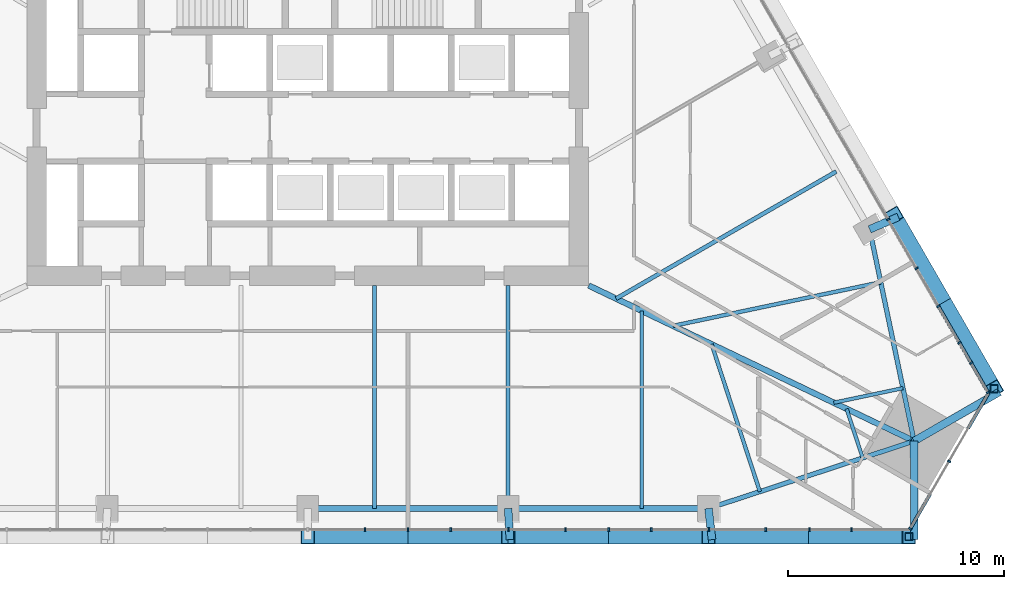
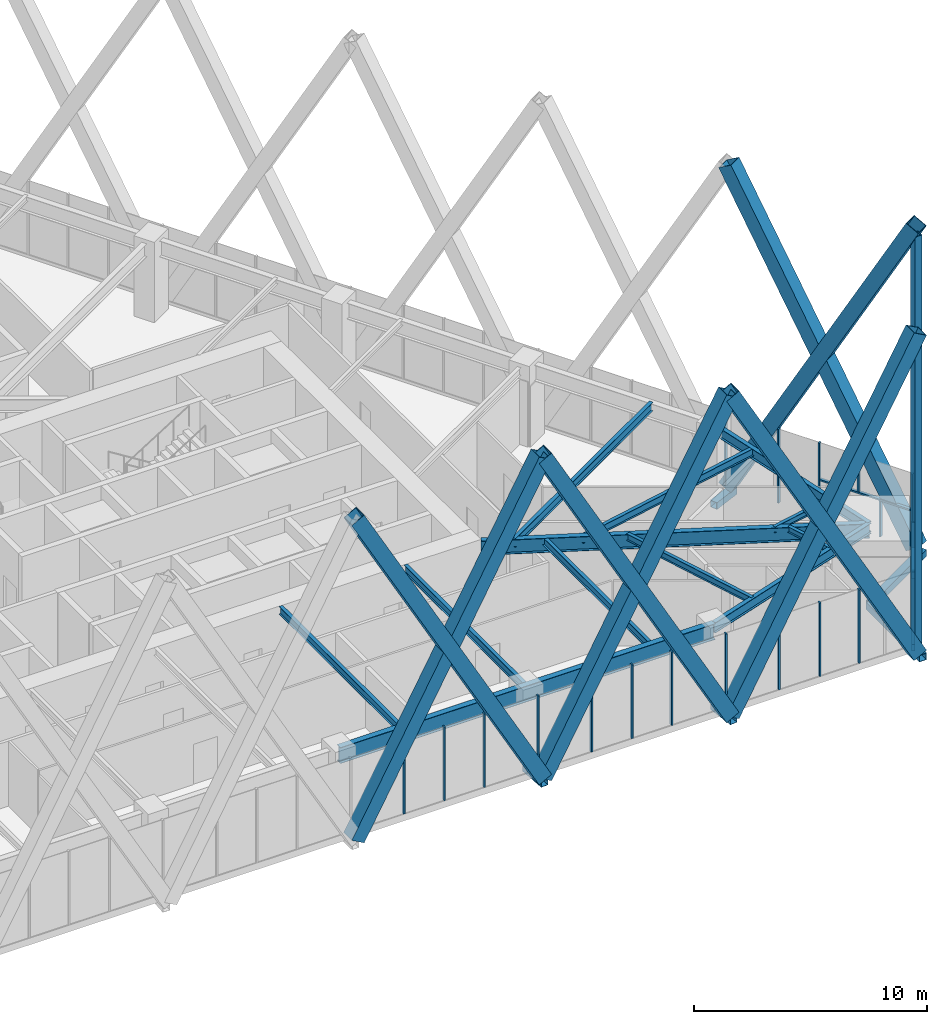
# One storey, part 6 of 19: 37 members, 12 beams, 3 elements without a shape of their own.
"""IFC4 building model written with IfcOpenShell, lengths in metres."""

import ifcopenshell
import ifcopenshell.guid

model = None  # the IFC model being written
_history = None  # IfcOwnerHistory: only IFC2X3 demands one
_inside = {}  # id of a spatial element -> (the spatial element, [elements in it])
_under = {}  # id of a project, library or spatial element -> (it, [spatial elements below it])
_declared = {}  # id of a project -> (the project, [libraries it declares])
_typed = {}  # id of a type object -> (the type object, [elements of that type])
_made_of = {}  # id of a material, layer set ... -> (it, [elements and type objects made of it])


def new_model(schema):
    """Start an empty IFC model of exactly this schema.

    Asked for "IFC4X3", IfcOpenShell would pick the latest addendum, in which some entities
    have other attributes; the version numbers below select the first issue.
    IFC2X3 requires an IfcOwnerHistory on every rooted entity: one is made here for all.
    """
    global model, _history
    if schema == "IFC4X3":
        model = ifcopenshell.file(schema_version=(4, 3, 0, 0))
    else:
        model = ifcopenshell.file(schema=schema)
    _inside.clear()
    _under.clear()
    _declared.clear()
    _typed.clear()
    _made_of.clear()
    _history = None
    if model.schema == "IFC2X3":
        org = make("IfcOrganization", Name="unknown")
        user = make(
            "IfcPersonAndOrganization",
            ThePerson=make("IfcPerson", FamilyName="unknown"),
            TheOrganization=org,
        )
        app = make(
            "IfcApplication",
            ApplicationDeveloper=org,
            Version="unknown",
            ApplicationFullName="unknown",
            ApplicationIdentifier="unknown",
        )
        _history = make(
            "IfcOwnerHistory",
            OwningUser=user,
            OwningApplication=app,
            ChangeAction="ADDED",
            CreationDate=0,
        )
    return model


def make(cls, **values):
    """One entity of the class cls with the attributes given. An attribute that is None is left unset."""
    return model.create_entity(
        cls, **{name: value for name, value in values.items() if value is not None}
    )


def rooted(cls, **values):
    """An entity with a GlobalId (a new one), such as an element, a storey or a relation."""
    return make(cls, GlobalId=ifcopenshell.guid.new(), OwnerHistory=_history, **values)


def si_unit(unit_type, name, prefix=None):
    """IfcSIUnit, for example si_unit("LENGTHUNIT", "METRE", prefix="MILLI")."""
    return make("IfcSIUnit", UnitType=unit_type, Prefix=prefix, Name=name)


def assignment(units):
    """IfcUnitAssignment: the units of a project."""
    return None if units is None else make("IfcUnitAssignment", Units=units)


def point(xyz):
    """IfcCartesianPoint."""
    return None if xyz is None else make("IfcCartesianPoint", Coordinates=xyz)


def direction(xyz):
    """IfcDirection."""
    return None if xyz is None else make("IfcDirection", DirectionRatios=xyz)


def frame(location, z_axis=None, x_axis=None):
    """IfcAxis2Placement3D, a coordinate frame: its origin and axes. An axis left out is left unset."""
    return make(
        "IfcAxis2Placement3D",
        Location=point(location),
        Axis=direction(z_axis),
        RefDirection=direction(x_axis),
    )


def frame_2d(location, x_axis=None):
    """IfcAxis2Placement2D, a coordinate frame in the plane: its origin and x axis."""
    return make(
        "IfcAxis2Placement2D", Location=point(location), RefDirection=direction(x_axis)
    )


def origin():
    """The frame at (0, 0, 0) with its axes left unset."""
    return frame((0.0, 0.0, 0.0))


def origin_2d():
    """The frame at (0, 0) in the plane with its x axis left unset."""
    return frame_2d((0.0, 0.0))


def place(relative_to, where):
    """IfcLocalPlacement: puts the frame where relative to a parent placement (None: the world)."""
    return make(
        "IfcLocalPlacement", PlacementRelTo=relative_to, RelativePlacement=where
    )


def context(
    kind, dimensions, precision=None, world=None, true_north=None, identifier=None
):
    """IfcGeometricRepresentationContext, for example the 3D "Model" context."""
    return make(
        "IfcGeometricRepresentationContext",
        ContextIdentifier=identifier,
        ContextType=kind,
        CoordinateSpaceDimension=dimensions,
        Precision=precision,
        WorldCoordinateSystem=world,
        TrueNorth=true_north,
    )


def subcontext(parent, identifier, kind, view, scale=None):
    """IfcGeometricRepresentationSubContext, for example "Body" below "Model"."""
    return make(
        "IfcGeometricRepresentationSubContext",
        ContextIdentifier=identifier,
        ContextType=kind,
        ParentContext=parent,
        TargetScale=scale,
        TargetView=view,
    )


def project(units=None, contexts=None):
    """IfcProject with its units and contexts."""
    return rooted(
        "IfcProject",
        Name="project",
        RepresentationContexts=contexts,
        UnitsInContext=assignment(units),
    )


def spatial(cls, under=None, at=None, **own):
    """A site, building, storey or space (cls), placed at a placement, below another one or the project."""
    s = rooted(cls, ObjectPlacement=at, **own)
    if under is not None:
        _under.setdefault(under.id(), (under, []))[1].append(s)
    return s


def profile(cls, at=None, kind="AREA", **sizes):
    """A parametric profile (cls). Its sizes go by their IFC names, for example OverallWidth=200.0."""
    return make(cls, ProfileType=kind, Position=at, **sizes)


def rectangle(**sizes):
    """IfcRectangleProfileDef."""
    return profile("IfcRectangleProfileDef", **sizes)


def hollow_rectangle(**sizes):
    """IfcRectangleHollowProfileDef."""
    return profile("IfcRectangleHollowProfileDef", **sizes)


def i_section(**sizes):
    """IfcIShapeProfileDef."""
    return profile("IfcIShapeProfileDef", **sizes)


def extrude(swept, where, along, depth):
    """IfcExtrudedAreaSolid: the profile swept, set in the frame where, extruded along a direction by depth."""
    return make(
        "IfcExtrudedAreaSolid",
        SweptArea=swept,
        Position=where,
        ExtrudedDirection=direction(along),
        Depth=depth,
    )


def shape(context_of_items, identifier, shape_type, items):
    """IfcShapeRepresentation: the items that make up one representation, for example the "Body"."""
    return make(
        "IfcShapeRepresentation",
        ContextOfItems=context_of_items,
        RepresentationIdentifier=identifier,
        RepresentationType=shape_type,
        Items=items,
    )


def material(Name=None, Category=None):
    """IfcMaterial."""
    return make("IfcMaterial", Name=Name, Category=Category)


def layer(
    of_material, thickness, ventilated=None, Name=None, Category=None, Priority=None
):
    """IfcMaterialLayer: one layer of a wall or slab, of a material (None: an air gap)."""
    return make(
        "IfcMaterialLayer",
        Material=of_material,
        LayerThickness=thickness,
        IsVentilated=ventilated,
        Name=Name,
        Category=Category,
        Priority=Priority,
    )


def layer_set(layers, Name=None):
    """IfcMaterialLayerSet."""
    return make("IfcMaterialLayerSet", MaterialLayers=layers, LayerSetName=Name)


def material_profile(
    of_material, cross_section, Name=None, Category=None, Priority=None
):
    """IfcMaterialProfile: a cross section and its material."""
    return make(
        "IfcMaterialProfile",
        Name=Name,
        Material=of_material,
        Profile=cross_section,
        Priority=Priority,
        Category=Category,
    )


def profile_set(profiles, Name=None, composite=None):
    """IfcMaterialProfileSet."""
    return make(
        "IfcMaterialProfileSet",
        Name=Name,
        MaterialProfiles=profiles,
        CompositeProfile=composite,
    )


def made_of(thing, what):
    """Note that an element or type object is made of a material, layer set ...; save() writes the relation."""
    if what is not None:
        _made_of.setdefault(what.id(), (what, []))[1].append(thing)
    return thing


def type_object(cls, material=None, **own):
    """A type object (cls), such as IfcWallType, which elements share."""
    return made_of(rooted(cls, **own), material)


def element(
    cls,
    number,
    at=None,
    inside=None,
    cuts=None,
    type_object=None,
    material=None,
    context=None,
    identifier="Body",
    shape_type=None,
    held_by="IfcProductDefinitionShape",
    body=None,
    shapes=None,
    **own,
):
    """One element of the class cls, such as IfcWall. Its Tag is "e" and its number.

    at: its placement. inside: the storey or other place that contains it. cuts: it is an
    opening in that element (IfcRelVoidsElement). A single representation is given by context,
    identifier, shape_type and body (its items); several are given by shapes. held_by: the class
    of the entity that holds the representations. save() writes the other relations.
    """
    e = rooted(cls, Tag="e%d" % number, ObjectPlacement=at, **own)
    if body is not None:
        shapes = [shape(context, identifier, shape_type, body)]
    if shapes is not None:
        e.Representation = make(held_by, Representations=shapes)
    if inside is not None:
        _inside.setdefault(inside.id(), (inside, []))[1].append(e)
    if cuts is not None:
        rooted(
            "IfcRelVoidsElement", RelatingBuildingElement=cuts, RelatedOpeningElement=e
        )
    if type_object is not None:
        _typed.setdefault(type_object.id(), (type_object, []))[1].append(e)
    return made_of(e, material)


def aggregate(whole, parts):
    """IfcRelAggregates: a whole, such as a stair, and the parts it consists of."""
    return rooted("IfcRelAggregates", RelatingObject=whole, RelatedObjects=parts)


def save(model, path):
    """Write the relations noted so far, then the file.

    IfcRelAggregates (storeys below a building ...), IfcRelContainedInSpatialStructure (elements
    in a storey), IfcRelDefinesByType, IfcRelAssociatesMaterial and IfcRelDeclares: one each for
    every whole, place, type object, material and project.
    """
    for whole, parts in _under.values():
        aggregate(whole, parts)
    for where, things in _inside.values():
        rooted(
            "IfcRelContainedInSpatialStructure",
            RelatedElements=things,
            RelatingStructure=where,
        )
    for kind, things in _typed.values():
        rooted("IfcRelDefinesByType", RelatedObjects=things, RelatingType=kind)
    for what, things in _made_of.values():
        rooted("IfcRelAssociatesMaterial", RelatedObjects=things, RelatingMaterial=what)
    for by, libraries in _declared.values():
        rooted("IfcRelDeclares", RelatingContext=by, RelatedDefinitions=libraries)
    model.write(path)


model = new_model("IFC4")

# Units and contexts
model_context = context("Model", 3, precision=1e-05, world=origin(), true_north=direction((0.0, 1.0)))
body_context = subcontext(model_context, "Body", "Model", "MODEL_VIEW")
ifc_project = project(units=[si_unit("LENGTHUNIT", "METRE"), si_unit("AREAUNIT", "SQUARE_METRE"), si_unit("VOLUMEUNIT", "CUBIC_METRE"), si_unit("PLANEANGLEUNIT", "RADIAN"), si_unit("MASSUNIT", "GRAM", prefix="KILO")], contexts=[model_context])

# Site, building, storey
site_placement = place(None, origin())
site = spatial("IfcSite", under=ifc_project, at=site_placement, CompositionType="ELEMENT")
building_placement = place(site_placement, origin())
building = spatial("IfcBuilding", under=site, at=building_placement, Name="Firuza Gate Tower and Library", CompositionType="ELEMENT")
storey_placement = place(building_placement, frame((0.0, 0.0, 124.0)))
storey = spatial("IfcBuildingStorey", under=building, at=storey_placement, Name="L28", CompositionType="ELEMENT", Elevation=124.0)

# Members
ifc_material_1 = material(Name="Steel S355", Category="steel")
ifc_material_profile_1 = material_profile(ifc_material_1, hollow_rectangle(XDim=0.699951171875, YDim=0.699951171875, WallThickness=0.030029296875, at=origin_2d()))
ifc_profile_set_1 = profile_set([ifc_material_profile_1], Name="Steel S355")
member_type_1 = type_object("IfcMemberType", Name="BU700x700x30 Lattice brace", PredefinedType="BRACE", material=ifc_profile_set_1)
for number, where, z_axis, x_axis, name in (
    (1, (75.0, 54.383056640625, 0.0), (0.483206156432, 0.0, 0.875506602137), (0.0, 1.0, 0.0), "Lattice brace S 6.4R"),
    (2, (84.272216796875, 54.383056640625, 0.0), (-0.483206156432, 0.0, 0.875506602137), (0.0, -1.0, 0.0), "Lattice brace S 6.4L"),
    (3, (84.272216796875, 54.383056640625, 0.0), (0.483215908659, 0.0, 0.875501219656), (0.0, 1.0, 0.0), "Lattice brace S 6.5R"),
    (4, (93.544677734375, 54.383056640625, 0.0), (-0.483215908659, 0.0, 0.875501219656), (0.0, -1.0, 0.0), "Lattice brace S 6.5L"),
    (5, (93.544677734375, 54.383056640625, 0.0), (0.483206156432, 0.0, 0.875506602137), (0.0, 1.0, 0.0), "Lattice brace S 6.6R"),
    (6, (102.81689453125, 54.383056640625, 0.0), (-0.483206156432, 0.0, 0.875506602137), (0.0, -1.0, 0.0), "Lattice brace S 6.6L"),
    (7, (106.76318359375, 61.218505859375, 0.0), (-0.241596803526, 0.418471771276, 0.875506916689), (-0.866032560393, -0.499987604186, 0.0), "Lattice brace E 6.1R"),
    (8, (102.127197265625, 69.24853515625, 0.0), (0.241596803526, -0.418471771276, 0.875506916689), (0.866032560393, 0.499987604186, 0.0), "Lattice brace E 6.1L"),
):
    element("IfcMember", number, at=place(storey_placement, frame(where, z_axis=z_axis, x_axis=x_axis)), inside=storey, type_object=member_type_1, Name=name, PredefinedType="BRACE", context=body_context, shape_type="SweptSolid", body=[
        extrude(hollow_rectangle(XDim=0.699951171875, YDim=0.699951171875, WallThickness=0.030029296875, at=origin_2d()), origin(), (0.0, 0.0, 1.0), 19.18896484375),
    ])

# Curtain wall, members
ifc_material_2 = material(Name="Aluminium 6063-T6", Category="aluminium")
ifc_layer_1 = layer(ifc_material_2, 0.14990234375)
ifc_layer_set_1 = layer_set([ifc_layer_1], Name="Unitised curtain wall, offices")
curtain_wall_type_1 = type_object("IfcCurtainWallType", Name="Unitised curtain wall, offices", PredefinedType="NOTDEFINED", material=ifc_layer_set_1)
placement = place(storey_placement, origin())
curtain_wall_1 = element("IfcCurtainWall", 9, at=placement, inside=storey, type_object=curtain_wall_type_1, Name="CW1 L28 S face", PredefinedType="NOTDEFINED")
ifc_material_3 = material(Name="Aluminium 6063-T6", Category="aluminium")
ifc_material_profile_2 = material_profile(ifc_material_3, rectangle(XDim=0.14990234375, YDim=0.080078125, at=origin_2d()))
ifc_profile_set_2 = profile_set([ifc_material_profile_2], Name="Aluminium 6063-T6")
member_type_2 = type_object("IfcMemberType", Name="Curtain wall mullion 80x150", PredefinedType="MULLION", material=ifc_profile_set_2)
member_1_placement = place(storey_placement, frame((79.643310546875, 54.7080078125, 0.14990234375), z_axis=(0.0, 0.0, 1.0), x_axis=(0.0, 1.0, 0.0)))
member_1 = element("IfcMember", 10, at=member_1_placement, type_object=member_type_2, Name="Mullion", PredefinedType="MULLION", context=body_context, shape_type="SweptSolid", body=[
    extrude(rectangle(XDim=0.14990234375, YDim=0.080078125, at=origin_2d()), origin(), (0.0, 0.0, 1.0), 3.85009765625),
])
member_2_placement = place(storey_placement, frame((84.28662109375, 54.7080078125, 0.14990234375), z_axis=(0.0, 0.0, 1.0), x_axis=(0.0, 1.0, 0.0)))
member_2 = element("IfcMember", 11, at=member_2_placement, type_object=member_type_2, Name="Mullion", PredefinedType="MULLION", context=body_context, shape_type="SweptSolid", body=[
    extrude(rectangle(XDim=0.14990234375, YDim=0.080078125, at=origin_2d()), origin(), (0.0, 0.0, 1.0), 3.85009765625),
])
member_3_placement = place(storey_placement, frame((88.93017578125, 54.7080078125, 0.14990234375), z_axis=(0.0, 0.0, 1.0), x_axis=(0.0, 1.0, 0.0)))
member_3 = element("IfcMember", 12, at=member_3_placement, type_object=member_type_2, Name="Mullion", PredefinedType="MULLION", context=body_context, shape_type="SweptSolid", body=[
    extrude(rectangle(XDim=0.14990234375, YDim=0.080078125, at=origin_2d()), origin(), (0.0, 0.0, 1.0), 3.85009765625),
])
member_4_placement = place(storey_placement, frame((93.573486328125, 54.7080078125, 0.14990234375), z_axis=(0.0, 0.0, 1.0), x_axis=(0.0, 1.0, 0.0)))
member_4 = element("IfcMember", 13, at=member_4_placement, type_object=member_type_2, Name="Mullion", PredefinedType="MULLION", context=body_context, shape_type="SweptSolid", body=[
    extrude(rectangle(XDim=0.14990234375, YDim=0.080078125, at=origin_2d()), origin(), (0.0, 0.0, 1.0), 3.85009765625),
])
member_5_placement = place(storey_placement, frame((98.216796875, 54.7080078125, 0.14990234375), z_axis=(0.0, 0.0, 1.0), x_axis=(0.0, 1.0, 0.0)))
member_5 = element("IfcMember", 14, at=member_5_placement, type_object=member_type_2, Name="Mullion", PredefinedType="MULLION", context=body_context, shape_type="SweptSolid", body=[
    extrude(rectangle(XDim=0.14990234375, YDim=0.080078125, at=origin_2d()), origin(), (0.0, 0.0, 1.0), 3.85009765625),
])
member_6_placement = place(storey_placement, frame((77.65234375, 54.7080078125, 0.14990234375), z_axis=(0.0, 0.0, 1.0), x_axis=(0.0, 1.0, 0.0)))
member_6 = element("IfcMember", 15, at=member_6_placement, type_object=member_type_2, Name="Mullion", PredefinedType="MULLION", context=body_context, shape_type="SweptSolid", body=[
    extrude(rectangle(XDim=0.14990234375, YDim=0.080078125, at=origin_2d()), origin(), (0.0, 0.0, 1.0), 3.85009765625),
])
member_7_placement = place(storey_placement, frame((81.619873046875, 54.7080078125, 0.14990234375), z_axis=(0.0, 0.0, 1.0), x_axis=(0.0, 1.0, 0.0)))
member_7 = element("IfcMember", 16, at=member_7_placement, type_object=member_type_2, Name="Mullion", PredefinedType="MULLION", context=body_context, shape_type="SweptSolid", body=[
    extrude(rectangle(XDim=0.14990234375, YDim=0.080078125, at=origin_2d()), origin(), (0.0, 0.0, 1.0), 3.85009765625),
])
member_8_placement = place(storey_placement, frame((86.9248046875, 54.7080078125, 0.14990234375), z_axis=(0.0, 0.0, 1.0), x_axis=(0.0, 1.0, 0.0)))
member_8 = element("IfcMember", 17, at=member_8_placement, type_object=member_type_2, Name="Mullion", PredefinedType="MULLION", context=body_context, shape_type="SweptSolid", body=[
    extrude(rectangle(XDim=0.14990234375, YDim=0.080078125, at=origin_2d()), origin(), (0.0, 0.0, 1.0), 3.85009765625),
])
member_9_placement = place(storey_placement, frame((90.89208984375, 54.7080078125, 0.14990234375), z_axis=(0.0, 0.0, 1.0), x_axis=(0.0, 1.0, 0.0)))
member_9 = element("IfcMember", 18, at=member_9_placement, type_object=member_type_2, Name="Mullion", PredefinedType="MULLION", context=body_context, shape_type="SweptSolid", body=[
    extrude(rectangle(XDim=0.14990234375, YDim=0.080078125, at=origin_2d()), origin(), (0.0, 0.0, 1.0), 3.85009765625),
])
member_10_placement = place(storey_placement, frame((96.197021484375, 54.7080078125, 0.14990234375), z_axis=(0.0, 0.0, 1.0), x_axis=(0.0, 1.0, 0.0)))
member_10 = element("IfcMember", 19, at=member_10_placement, type_object=member_type_2, Name="Mullion", PredefinedType="MULLION", context=body_context, shape_type="SweptSolid", body=[
    extrude(rectangle(XDim=0.14990234375, YDim=0.080078125, at=origin_2d()), origin(), (0.0, 0.0, 1.0), 3.85009765625),
])
member_11_placement = place(storey_placement, frame((100.164306640625, 54.7080078125, 0.14990234375), z_axis=(0.0, 0.0, 1.0), x_axis=(0.0, 1.0, 0.0)))
member_11 = element("IfcMember", 20, at=member_11_placement, type_object=member_type_2, Name="Mullion", PredefinedType="MULLION", context=body_context, shape_type="SweptSolid", body=[
    extrude(rectangle(XDim=0.14990234375, YDim=0.080078125, at=origin_2d()), origin(), (0.0, 0.0, 1.0), 3.85009765625),
])
aggregate(curtain_wall_1, [member_1, member_2, member_3, member_4, member_5, member_6, member_7, member_8, member_9, member_10, member_11])

ifc_material_4 = material(Name="Aluminium 6063-T6", Category="aluminium")
ifc_layer_2 = layer(ifc_material_4, 0.14990234375)
ifc_layer_set_2 = layer_set([ifc_layer_2], Name="Corner curtain wall, chamfers")
curtain_wall_type_2 = type_object("IfcCurtainWallType", Name="Corner curtain wall, chamfers", PredefinedType="NOTDEFINED", material=ifc_layer_set_2)
curtain_wall_2 = element("IfcCurtainWall", 21, at=placement, inside=storey, type_object=curtain_wall_type_2, Name="CW4 L28 SE corner", PredefinedType="NOTDEFINED")
member_12_placement = place(storey_placement, frame((102.880126953125, 54.74267578125, 0.14990234375), z_axis=(0.0, 0.0, 1.0), x_axis=(-0.866025403784, 0.5, 0.0)))
member_12 = element("IfcMember", 22, at=member_12_placement, type_object=member_type_2, Name="Mullion", PredefinedType="MULLION", context=body_context, shape_type="SweptSolid", body=[
    extrude(rectangle(XDim=0.14990234375, YDim=0.080078125, at=origin_2d()), origin(), (0.0, 0.0, 1.0), 3.85009765625),
])
member_13_placement = place(storey_placement, frame((104.681884765625, 57.86328125, 0.14990234375), z_axis=(0.0, 0.0, 1.0), x_axis=(-0.866025403784, 0.5, 0.0)))
member_13 = element("IfcMember", 23, at=member_13_placement, type_object=member_type_2, Name="Mullion", PredefinedType="MULLION", context=body_context, shape_type="SweptSolid", body=[
    extrude(rectangle(XDim=0.14990234375, YDim=0.080078125, at=origin_2d()), origin(), (0.0, 0.0, 1.0), 3.85009765625),
])

curtain_wall_3 = element("IfcCurtainWall", 24, at=placement, inside=storey, type_object=curtain_wall_type_1, Name="CW1 L28 E face", PredefinedType="NOTDEFINED")
member_14_placement = place(storey_placement, frame((106.4833984375, 61.052978515625, 0.14990234375), z_axis=(0.0, 0.0, 1.0), x_axis=(-0.866025403784, -0.5, 0.0)))
member_14 = element("IfcMember", 25, at=member_14_placement, type_object=member_type_2, Name="Mullion", PredefinedType="MULLION", context=body_context, shape_type="SweptSolid", body=[
    extrude(rectangle(XDim=0.14990234375, YDim=0.080078125, at=origin_2d()), origin(), (0.0, 0.0, 1.0), 3.85009765625),
])
member_15_placement = place(storey_placement, frame((104.181884765625, 65.03955078125, 0.14990234375), z_axis=(0.0, 0.0, 1.0), x_axis=(-0.866025403784, -0.5, 0.0)))
member_15 = element("IfcMember", 26, at=member_15_placement, type_object=member_type_2, Name="Mullion", PredefinedType="MULLION", context=body_context, shape_type="SweptSolid", body=[
    extrude(rectangle(XDim=0.14990234375, YDim=0.080078125, at=origin_2d()), origin(), (0.0, 0.0, 1.0), 3.85009765625),
])
member_16_placement = place(storey_placement, frame((101.860107421875, 69.06103515625, 0.14990234375), z_axis=(0.0, 0.0, 1.0), x_axis=(-0.866025403784, -0.5, 0.0)))
member_16 = element("IfcMember", 27, at=member_16_placement, type_object=member_type_2, Name="Mullion", PredefinedType="MULLION", context=body_context, shape_type="SweptSolid", body=[
    extrude(rectangle(XDim=0.14990234375, YDim=0.080078125, at=origin_2d()), origin(), (0.0, 0.0, 1.0), 3.85009765625),
])
member_17_placement = place(storey_placement, frame((105.69775390625, 62.413818359375, 0.14990234375), z_axis=(0.0, 0.0, 1.0), x_axis=(-0.866025403784, -0.5, 0.0)))
member_17 = element("IfcMember", 28, at=member_17_placement, type_object=member_type_2, Name="Mullion", PredefinedType="MULLION", context=body_context, shape_type="SweptSolid", body=[
    extrude(rectangle(XDim=0.14990234375, YDim=0.080078125, at=origin_2d()), origin(), (0.0, 0.0, 1.0), 1.885009765625),
])
member_18_placement = place(storey_placement, frame((105.155517578125, 63.35302734375, 2.114990234375), z_axis=(0.0, 0.0, 1.0), x_axis=(-0.866025403784, -0.5, 0.0)))
member_18 = element("IfcMember", 29, at=member_18_placement, type_object=member_type_2, Name="Mullion", PredefinedType="MULLION", context=body_context, shape_type="SweptSolid", body=[
    extrude(rectangle(XDim=0.14990234375, YDim=0.080078125, at=origin_2d()), origin(), (0.0, 0.0, 1.0), 1.885009765625),
])
member_19_placement = place(storey_placement, frame((103.171875, 66.788818359375, 0.14990234375), z_axis=(0.0, 0.0, 1.0), x_axis=(-0.866025403784, -0.5, 0.0)))
member_19 = element("IfcMember", 30, at=member_19_placement, type_object=member_type_2, Name="Mullion", PredefinedType="MULLION", context=body_context, shape_type="SweptSolid", body=[
    extrude(rectangle(XDim=0.14990234375, YDim=0.080078125, at=origin_2d()), origin(), (0.0, 0.0, 1.0), 3.85009765625),
])

# Member
ifc_material_5 = material(Name="Aluminium 6063-T6", Category="aluminium")
ifc_material_profile_3 = material_profile(ifc_material_5, rectangle(XDim=0.14990234375, YDim=0.35009765625, at=origin_2d()))
ifc_profile_set_3 = profile_set([ifc_material_profile_3], Name="Aluminium 6063-T6")
member_type_3 = type_object("IfcMemberType", Name="Curtain wall transom 350x150", PredefinedType="USERDEFINED", material=ifc_profile_set_3)
member_20_placement = place(storey_placement, frame((102.860107421875, 54.7080078125, -0.02490234375), z_axis=(0.499983064336, 0.866035181374, 0.0), x_axis=(-0.866035181374, 0.499983064336, 0.0)))
member_20 = element("IfcMember", 31, at=member_20_placement, type_object=member_type_3, Name="Transom", ObjectType="TRANSOM", PredefinedType="USERDEFINED", context=body_context, shape_type="SweptSolid", body=[
    extrude(rectangle(XDim=0.14990234375, YDim=0.35009765625, at=origin_2d()), origin(), (0.0, 0.0, 1.0), 1.89208984375),
])

member_21_placement = place(storey_placement, frame((105.557373046875, 59.379638671875, -0.02490234375), z_axis=(0.499983064336, 0.866035181374, 0.0), x_axis=(-0.866035181374, 0.499983064336, 0.0)))
member_21 = element("IfcMember", 32, at=member_21_placement, type_object=member_type_3, Name="Transom", ObjectType="TRANSOM", PredefinedType="USERDEFINED", context=body_context, shape_type="SweptSolid", body=[
    extrude(rectangle(XDim=0.14990234375, YDim=0.35009765625, at=origin_2d()), origin(), (0.0, 0.0, 1.0), 1.89208984375),
])

aggregate(curtain_wall_2, [member_12, member_13, member_20, member_21])

ifc_material_6 = material(Name="Aluminium 6063-T6", Category="aluminium")
ifc_material_profile_4 = material_profile(ifc_material_6, rectangle(XDim=0.14990234375, YDim=0.080078125, at=origin_2d()))
ifc_profile_set_4 = profile_set([ifc_material_profile_4], Name="Aluminium 6063-T6")
member_type_4 = type_object("IfcMemberType", Name="Curtain wall transom 80x150", PredefinedType="USERDEFINED", material=ifc_profile_set_4)
member_22_placement = place(storey_placement, frame((106.4833984375, 61.052978515625, 2.074951171875), z_axis=(-0.499994135611, 0.866028789565, 0.0), x_axis=(-0.866028789565, -0.499994135611, 0.0)))
member_22 = element("IfcMember", 33, at=member_22_placement, type_object=member_type_4, Name="Transom", ObjectType="TRANSOM", PredefinedType="USERDEFINED", context=body_context, shape_type="SweptSolid", body=[
    extrude(rectangle(XDim=0.14990234375, YDim=0.080078125, at=origin_2d()), origin(), (0.0, 0.0, 1.0), 4.5634765625),
])

aggregate(curtain_wall_3, [member_14, member_15, member_16, member_17, member_18, member_22, member_19])

# Members
ifc_material_7 = material(Name="Steel S355", Category="steel")
ifc_material_profile_5 = material_profile(ifc_material_7, hollow_rectangle(XDim=0.355712890625, YDim=0.355712890625, WallThickness=0.014892578125, at=origin_2d()))
ifc_profile_set_5 = profile_set([ifc_material_profile_5], Name="Steel S355")
member_type_5 = type_object("IfcMemberType", Name="HSS356x356x16 Lattice corner stile", PredefinedType="BRACE", material=ifc_profile_set_5)
for number, where, z_axis, x_axis, name in (
    (34, (102.81689453125, 54.383056640625, -0.139892578125), (0.0, 0.0, 1.0), (1.0, 0.0, 0.0), "Lattice corner stile S 6.B"),
    (35, (106.76318359375, 61.218505859375, -0.139892578125), (0.0, 0.0, 1.0), (1.0, 0.0, 0.0), "Lattice corner stile E 6.A"),
):
    element("IfcMember", number, at=place(storey_placement, frame(where, z_axis=z_axis, x_axis=x_axis)), inside=storey, type_object=member_type_5, Name=name, PredefinedType="BRACE", context=body_context, shape_type="SweptSolid", body=[
        extrude(hollow_rectangle(XDim=0.355712890625, YDim=0.355712890625, WallThickness=0.014892578125, at=origin_2d()), origin(), (0.0, 0.0, 1.0), 16.43994140625),
    ])
ifc_material_8 = material(Name="Steel S355", Category="steel")
ifc_material_profile_6 = material_profile(ifc_material_8, hollow_rectangle(XDim=0.355712890625, YDim=0.355712890625, WallThickness=0.014892578125, at=origin_2d()))
ifc_profile_set_6 = profile_set([ifc_material_profile_6], Name="Steel S355")
member_type_6 = type_object("IfcMemberType", Name="HSS356x356x16 Lattice node tie", PredefinedType="BRACE", material=ifc_profile_set_6)
member_23_placement = place(storey_placement, frame((101.001220703125, 68.598388671875, -0.320068359375), z_axis=(0.916946992743, 0.399009038119, 0.0), x_axis=(-0.399009038119, 0.916946992743, 0.0)))
element("IfcMember", 36, at=member_23_placement, inside=storey, type_object=member_type_6, Name="Lattice node tie E L28 111", PredefinedType="BRACE", context=body_context, shape_type="SweptSolid", body=[
    extrude(hollow_rectangle(XDim=0.355712890625, YDim=0.355712890625, WallThickness=0.014892578125, at=origin_2d()), origin(), (0.0, 0.0, 1.0), 1.451416015625),
])
member_24_placement = place(storey_placement, frame((103.05810546875, 58.80078125, -0.320068359375), z_axis=(0.866541054848, 0.49910580067, 0.0), x_axis=(-0.49910580067, 0.866541054848, 0.0)))
element("IfcMember", 37, at=member_24_placement, inside=storey, type_object=member_type_6, Name="Lattice node tie E L28 112", PredefinedType="BRACE", context=body_context, shape_type="SweptSolid", body=[
    extrude(hollow_rectangle(XDim=0.355712890625, YDim=0.355712890625, WallThickness=0.014892578125, at=origin_2d()), origin(), (0.0, 0.0, 1.0), 4.559326171875),
])
member_25_placement = place(storey_placement, frame((84.272216796875, 55.68310546875, -0.320068359375), z_axis=(0.056799452131, -0.998385607988, 0.0), x_axis=(0.998385607988, 0.056799452131, 0.0)))
element("IfcMember", 38, at=member_25_placement, inside=storey, type_object=member_type_6, Name="Lattice node tie S L28 117", PredefinedType="BRACE", context=body_context, shape_type="SweptSolid", body=[
    extrude(hollow_rectangle(XDim=0.355712890625, YDim=0.355712890625, WallThickness=0.014892578125, at=origin_2d()), origin(), (0.0, 0.0, 1.0), 1.4443359375),
])
member_26_placement = place(storey_placement, frame((93.544677734375, 55.68310546875, -0.320068359375), z_axis=(0.112887039074, -0.993607828275, 0.0), x_axis=(0.993607828275, 0.112887039074, 0.0)))
element("IfcMember", 39, at=member_26_placement, inside=storey, type_object=member_type_6, Name="Lattice node tie S L28 118", PredefinedType="BRACE", context=body_context, shape_type="SweptSolid", body=[
    extrude(hollow_rectangle(XDim=0.355712890625, YDim=0.355712890625, WallThickness=0.014892578125, at=origin_2d()), origin(), (0.0, 0.0, 1.0), 1.451171875),
])
member_27_placement = place(storey_placement, frame((103.05810546875, 58.80078125, -0.320068359375), z_axis=(0.001017347942, -0.999999482501, 0.0), x_axis=(0.999999482501, 0.001017347942, 0.0)))
element("IfcMember", 40, at=member_27_placement, inside=storey, type_object=member_type_6, Name="Lattice node tie S L28 119", PredefinedType="BRACE", context=body_context, shape_type="SweptSolid", body=[
    extrude(hollow_rectangle(XDim=0.355712890625, YDim=0.355712890625, WallThickness=0.014892578125, at=origin_2d()), origin(), (0.0, 0.0, 1.0), 4.5595703125),
])

# Beams
ifc_material_9 = material(Name="Steel S355", Category="steel")
ifc_material_profile_7 = material_profile(ifc_material_9, i_section(OverallWidth=0.1650390625, OverallDepth=0.31005859375, WebThickness=0.005859375, FlangeThickness=0.009765625, at=origin_2d()))
ifc_profile_set_7 = profile_set([ifc_material_profile_7], Name="Steel S355")
beam_type_1 = type_object("IfcBeamType", Name="W310x39 Floor beam", PredefinedType="JOIST", material=ifc_profile_set_7)
beam_1_placement = place(storey_placement, frame((100.6796875, 58.021240234375, 3.844970703125), z_axis=(-0.311446407366, 0.950263718837, 0.0), x_axis=(-0.950263718837, -0.311446407366, 0.0)))
element("IfcBeam", 41, at=beam_1_placement, inside=storey, type_object=beam_type_1, Name="Floor beam L28 s31", PredefinedType="JOIST", context=body_context, shape_type="SweptSolid", body=[
    extrude(i_section(OverallWidth=0.1650390625, OverallDepth=0.31005859375, WebThickness=0.005859375, FlangeThickness=0.009765625, at=origin_2d()), origin(), (0.0, 0.0, 1.0), 2.3916015625),
])
beam_2_placement = place(storey_placement, frame((102.5439453125, 61.250244140625, 3.844970703125), z_axis=(-0.978668348175, -0.2054464998, 0.0), x_axis=(0.2054464998, -0.978668348175, 0.0)))
element("IfcBeam", 42, at=beam_2_placement, inside=storey, type_object=beam_type_1, Name="Floor beam L28 s40", PredefinedType="JOIST", context=body_context, shape_type="SweptSolid", body=[
    extrude(i_section(OverallWidth=0.1650390625, OverallDepth=0.31005859375, WebThickness=0.005859375, FlangeThickness=0.009765625, at=origin_2d()), origin(), (0.0, 0.0, 1.0), 3.272705078125),
])
ifc_material_10 = material(Name="Steel S355", Category="steel")
ifc_material_profile_8 = material_profile(ifc_material_10, i_section(OverallWidth=0.1708984375, OverallDepth=0.35498046875, WebThickness=0.007080078125, FlangeThickness=0.01171875, at=origin_2d()))
ifc_profile_set_8 = profile_set([ifc_material_profile_8], Name="Steel S355")
beam_type_2 = type_object("IfcBeamType", Name="W360x51 Floor beam", PredefinedType="JOIST", material=ifc_profile_set_8)
beam_3_placement = place(storey_placement, frame((95.9228515625, 56.46240234375, 3.822509765625), z_axis=(-0.311395022273, 0.950280558627, 0.0), x_axis=(-0.950280558627, -0.311395022273, 0.0)))
element("IfcBeam", 43, at=beam_3_placement, inside=storey, type_object=beam_type_2, Name="Floor beam L28 s30", PredefinedType="JOIST", context=body_context, shape_type="SweptSolid", body=[
    extrude(i_section(OverallWidth=0.1708984375, OverallDepth=0.35498046875, WebThickness=0.007080078125, FlangeThickness=0.01171875, at=origin_2d()), origin(), (0.0, 0.0, 1.0), 7.174560546875),
])
ifc_material_11 = material(Name="Steel S355", Category="steel")
ifc_material_profile_9 = material_profile(ifc_material_11, i_section(OverallWidth=0.177978515625, OverallDepth=0.406982421875, WebThickness=0.0078125, FlangeThickness=0.0126953125, at=origin_2d()))
ifc_profile_set_9 = profile_set([ifc_material_profile_9], Name="Steel S355")
beam_type_3 = type_object("IfcBeamType", Name="W410x60 Floor beam", PredefinedType="JOIST", material=ifc_profile_set_9)
for number, where, z_axis, x_axis, name in (
    (44, (78.0908203125, 55.68310546875, 3.79638671875), (0.0, 1.0, 0.0), (-1.0, 0.0, 0.0), "Floor beam L28 s23"),
    (45, (84.272216796875, 55.68310546875, 3.79638671875), (0.0, 1.0, 0.0), (-1.0, 0.0, 0.0), "Floor beam L28 s24"),
):
    element("IfcBeam", number, at=place(storey_placement, frame(where, z_axis=z_axis, x_axis=x_axis)), inside=storey, type_object=beam_type_3, Name=name, PredefinedType="JOIST", context=body_context, shape_type="SweptSolid", body=[
        extrude(i_section(OverallWidth=0.177978515625, OverallDepth=0.406982421875, WebThickness=0.0078125, FlangeThickness=0.0126953125, at=origin_2d()), origin(), (0.0, 0.0, 1.0), 10.31689453125),
    ])
beam_4_placement = place(storey_placement, frame((90.453857421875, 55.68310546875, 3.79638671875), z_axis=(0.0, 1.0, 0.0), x_axis=(-1.0, 0.0, 0.0)))
element("IfcBeam", 46, at=beam_4_placement, inside=storey, type_object=beam_type_3, Name="Floor beam L28 s25", PredefinedType="JOIST", context=body_context, shape_type="SweptSolid", body=[
    extrude(i_section(OverallWidth=0.177978515625, OverallDepth=0.406982421875, WebThickness=0.0078125, FlangeThickness=0.0126953125, at=origin_2d()), origin(), (0.0, 0.0, 1.0), 9.143798828125),
])
beam_5_placement = place(storey_placement, frame((101.515380859375, 66.14892578125, 3.79638671875), z_axis=(-0.978672298286, -0.205427682085, 0.0), x_axis=(0.205427682085, -0.978672298286, 0.0)))
element("IfcBeam", 47, at=beam_5_placement, inside=storey, type_object=beam_type_3, Name="Floor beam L28 s41", PredefinedType="JOIST", context=body_context, shape_type="SweptSolid", body=[
    extrude(i_section(OverallWidth=0.177978515625, OverallDepth=0.406982421875, WebThickness=0.0078125, FlangeThickness=0.0126953125, at=origin_2d()), origin(), (0.0, 0.0, 1.0), 9.81787109375),
])
ifc_material_12 = material(Name="Steel S355", Category="steel")
ifc_material_profile_10 = material_profile(ifc_material_12, i_section(OverallWidth=0.18994140625, OverallDepth=0.45703125, WebThickness=0.009033203125, FlangeThickness=0.014404296875, at=origin_2d()))
ifc_profile_set_10 = profile_set([ifc_material_profile_10], Name="Steel S355")
beam_type_4 = type_object("IfcBeamType", Name="W460x74 Floor beam", PredefinedType="JOIST", material=ifc_profile_set_10)
beam_6_placement = place(storey_placement, frame((99.455810546875, 71.275146484375, 3.771484375), z_axis=(-0.866026254694, -0.499998526178, 0.0), x_axis=(0.499998526178, -0.866026254694, 0.0)))
element("IfcBeam", 48, at=beam_6_placement, inside=storey, type_object=beam_type_4, Name="Floor beam L28 s50", PredefinedType="JOIST", context=body_context, shape_type="SweptSolid", body=[
    extrude(i_section(OverallWidth=0.18994140625, OverallDepth=0.45703125, WebThickness=0.009033203125, FlangeThickness=0.014404296875, at=origin_2d()), origin(), (0.0, 0.0, 1.0), 11.76318359375),
])
ifc_material_13 = material(Name="Steel S355", Category="steel")
ifc_material_profile_11 = material_profile(ifc_material_13, i_section(OverallWidth=0.212890625, OverallDepth=0.5390625, WebThickness=0.01171875, FlangeThickness=0.018798828125, at=origin_2d()))
ifc_profile_set_11 = profile_set([ifc_material_profile_11], Name="Steel S355")
beam_type_5 = type_object("IfcBeamType", Name="W530x109 Edge beam", PredefinedType="SPANDREL", material=ifc_profile_set_11)
for number, where, z_axis, x_axis, name in (
    (49, (93.544677734375, 55.68310546875, 3.73046875), (0.950273322164, 0.311417104833, 0.0), (-0.311417104833, 0.950273322164, 0.0), "Edge beam L28 e30"),
    (50, (103.05810546875, 58.80078125, 3.73046875), (-0.205458608485, 0.978665806187, 0.0), (-0.978665806187, -0.205458608485, 0.0), "Edge beam L28 e40"),
):
    element("IfcBeam", number, at=place(storey_placement, frame(where, z_axis=z_axis, x_axis=x_axis)), inside=storey, type_object=beam_type_5, Name=name, PredefinedType="SPANDREL", context=body_context, shape_type="SweptSolid", body=[
        extrude(i_section(OverallWidth=0.212890625, OverallDepth=0.5390625, WebThickness=0.01171875, FlangeThickness=0.018798828125, at=origin_2d()), origin(), (0.0, 0.0, 1.0), 10.01123046875),
    ])
ifc_material_14 = material(Name="Steel S355", Category="steel")
ifc_material_profile_12 = material_profile(ifc_material_14, i_section(OverallWidth=0.264892578125, OverallDepth=0.7529296875, WebThickness=0.01318359375, FlangeThickness=0.01708984375, at=origin_2d()))
ifc_profile_set_12 = profile_set([ifc_material_profile_12], Name="Steel S355")
beam_type_6 = type_object("IfcBeamType", Name="W760x147 Girder", PredefinedType="BEAM", material=ifc_profile_set_12)
beam_7_placement = place(storey_placement, frame((103.05810546875, 58.80078125, 3.62353515625), z_axis=(-0.902192138225, 0.431334378092, 0.0), x_axis=(-0.431334378092, -0.902192138225, 0.0)))
element("IfcBeam", 51, at=beam_7_placement, inside=storey, type_object=beam_type_6, Name="Girder L28 gSE", PredefinedType="BEAM", context=body_context, shape_type="SweptSolid", body=[
    extrude(i_section(OverallWidth=0.264892578125, OverallDepth=0.7529296875, WebThickness=0.01318359375, FlangeThickness=0.01708984375, at=origin_2d()), origin(), (0.0, 0.0, 1.0), 16.690673828125),
])
ifc_material_15 = material(Name="Steel S355", Category="steel")
ifc_material_profile_13 = material_profile(ifc_material_15, i_section(OverallWidth=0.2919921875, OverallDepth=0.8349609375, WebThickness=0.013916015625, FlangeThickness=0.018798828125, at=origin_2d()))
ifc_profile_set_13 = profile_set([ifc_material_profile_13], Name="Steel S355")
beam_type_7 = type_object("IfcBeamType", Name="W840x176 Edge beam", PredefinedType="SPANDREL", material=ifc_profile_set_13)
beam_8_placement = place(storey_placement, frame((75.0, 55.68310546875, 3.58251953125), z_axis=(1.0, 0.0, 0.0), x_axis=(0.0, 1.0, 0.0)))
element("IfcBeam", 52, at=beam_8_placement, inside=storey, type_object=beam_type_7, Name="Edge beam L28 e22", PredefinedType="SPANDREL", context=body_context, shape_type="SweptSolid", body=[
    extrude(i_section(OverallWidth=0.2919921875, OverallDepth=0.8349609375, WebThickness=0.013916015625, FlangeThickness=0.018798828125, at=origin_2d()), origin(), (0.0, 0.0, 1.0), 18.544677734375),
])

save(model, "model.ifc")
